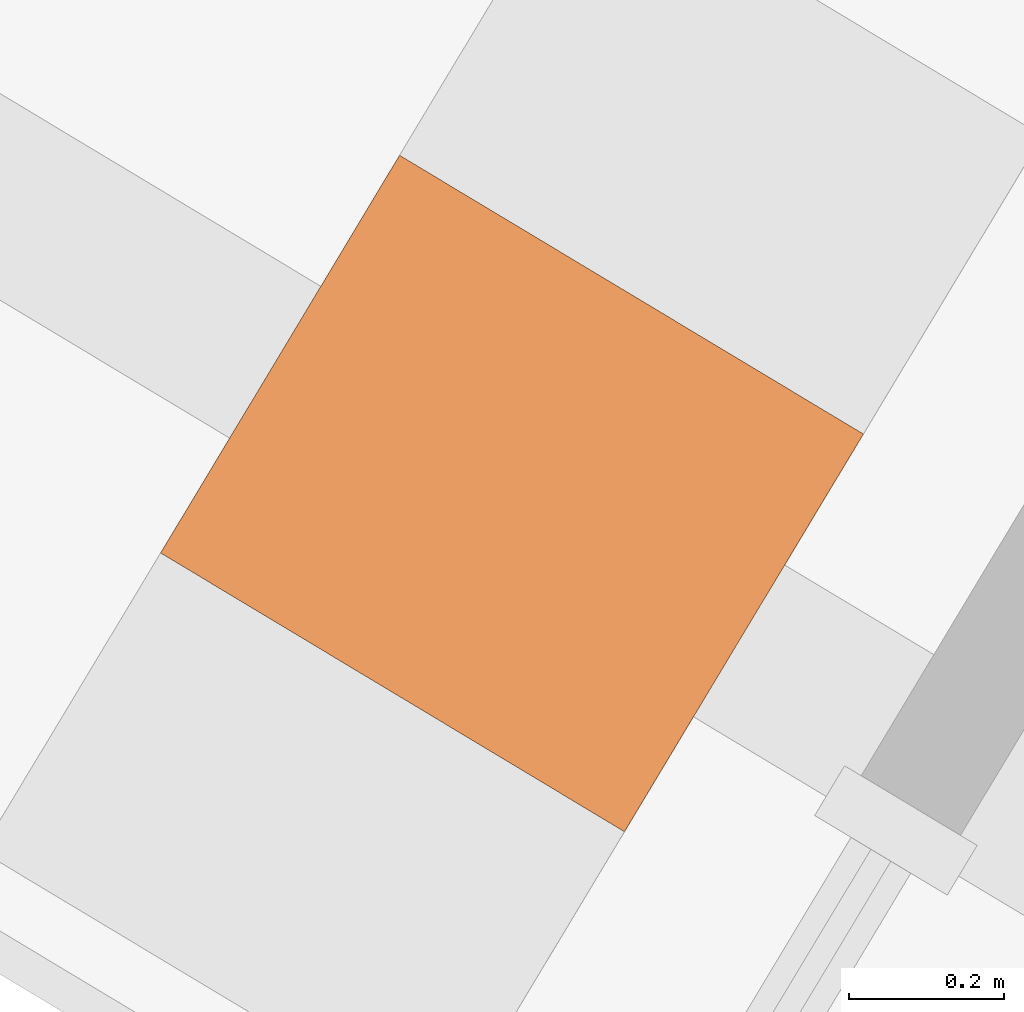
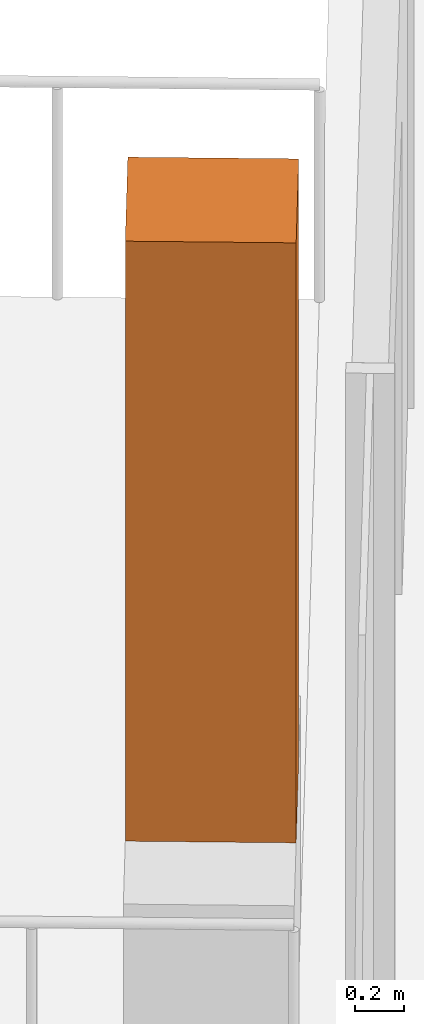
# One storey, part 24 of 24: 1 geographic element.
"""IFC4 building model written with IfcOpenShell, lengths in metres."""

from ifc_helpers import new_model, si_unit, direction, frame, origin, origin_2d, place, context, subcontext, project, spatial, rectangle, extrude, source, transform, mapped, material, type_object, element, save


model = new_model("IFC4")

# Units and contexts
model_context = context("Model", 3, precision=1e-05, world=origin(), true_north=direction((0.0, 1.0)))
body_context = subcontext(model_context, "Body", "Model", "MODEL_VIEW")
ifc_project = project(units=[si_unit("LENGTHUNIT", "METRE"), si_unit("AREAUNIT", "SQUARE_METRE"), si_unit("VOLUMEUNIT", "CUBIC_METRE"), si_unit("PLANEANGLEUNIT", "RADIAN"), si_unit("MASSUNIT", "GRAM", prefix="KILO")], contexts=[model_context])

# Site, building, storey
site_placement = place(None, origin())
site = spatial("IfcSite", under=ifc_project, at=site_placement, CompositionType="ELEMENT")
building_placement = place(site_placement, origin())
building = spatial("IfcBuilding", under=site, at=building_placement, Name="Triune Harvest Tower", CompositionType="ELEMENT")
storey_placement = place(building_placement, frame((0.0, 0.0, 212.300048828125)))
storey = spatial("IfcBuildingStorey", under=building, at=storey_placement, Name="L55", CompositionType="ELEMENT", Elevation=212.300048828125)

# Geographic element
ifc_material = material(Name="TREE-1 tree")
geographic_element_type = type_object("IfcGeographicElementType", Name="TREE-1 tree", PredefinedType="USERDEFINED", material=ifc_material)
shared_shape = source(origin(), body_context, "Body", "SweptSolid", [
    extrude(rectangle(XDim=0.60009765625, YDim=0.699951171875, at=origin_2d()), origin(), (0.0, 0.0, 1.0), 3.0),
])
geographic_element_placement = place(storey_placement, frame((-19.38818359375, 9.141357421875, 1.099853515625), z_axis=(0.0, 0.0, 1.0), x_axis=(-0.515036632219, -0.857168167557, 0.0)))
element("IfcGeographicElement", 1, at=geographic_element_placement, inside=storey, type_object=geographic_element_type, Name="Tree B5-F3 L55.6b", ObjectType="TREE", PredefinedType="USERDEFINED", context=body_context, shape_type="MappedRepresentation", body=[
    mapped(shared_shape, transform((0.0, 0.0, 0.0), scale=1.0)),
])

save(model, "model.ifc")
